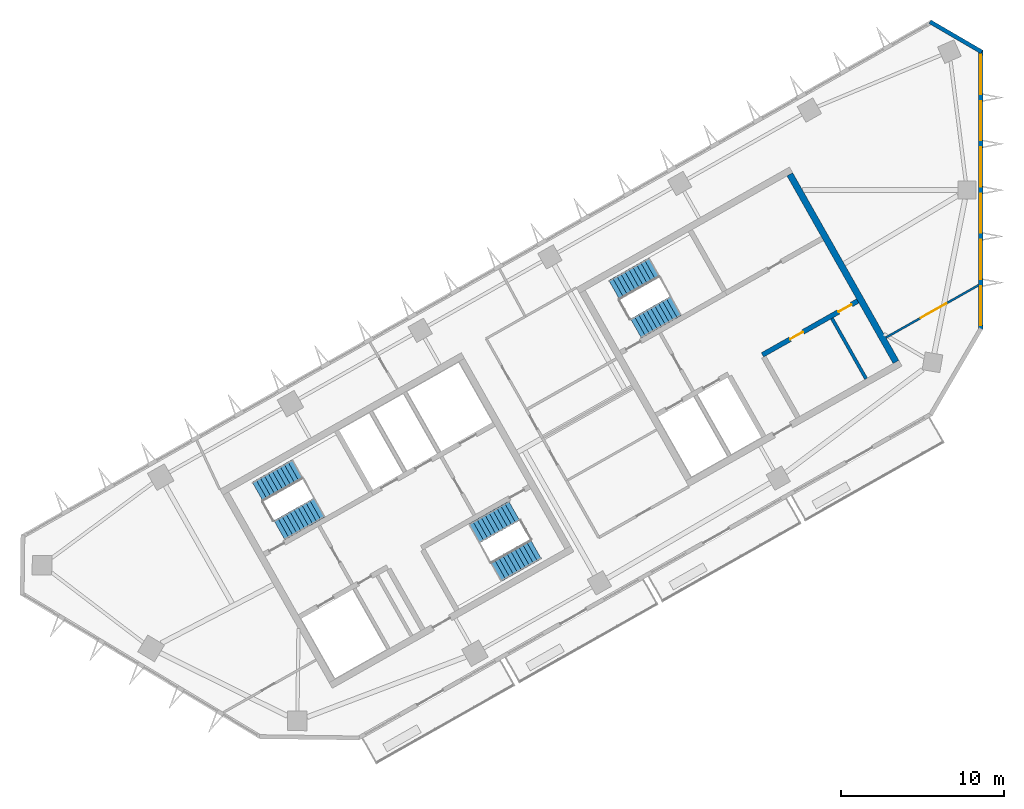
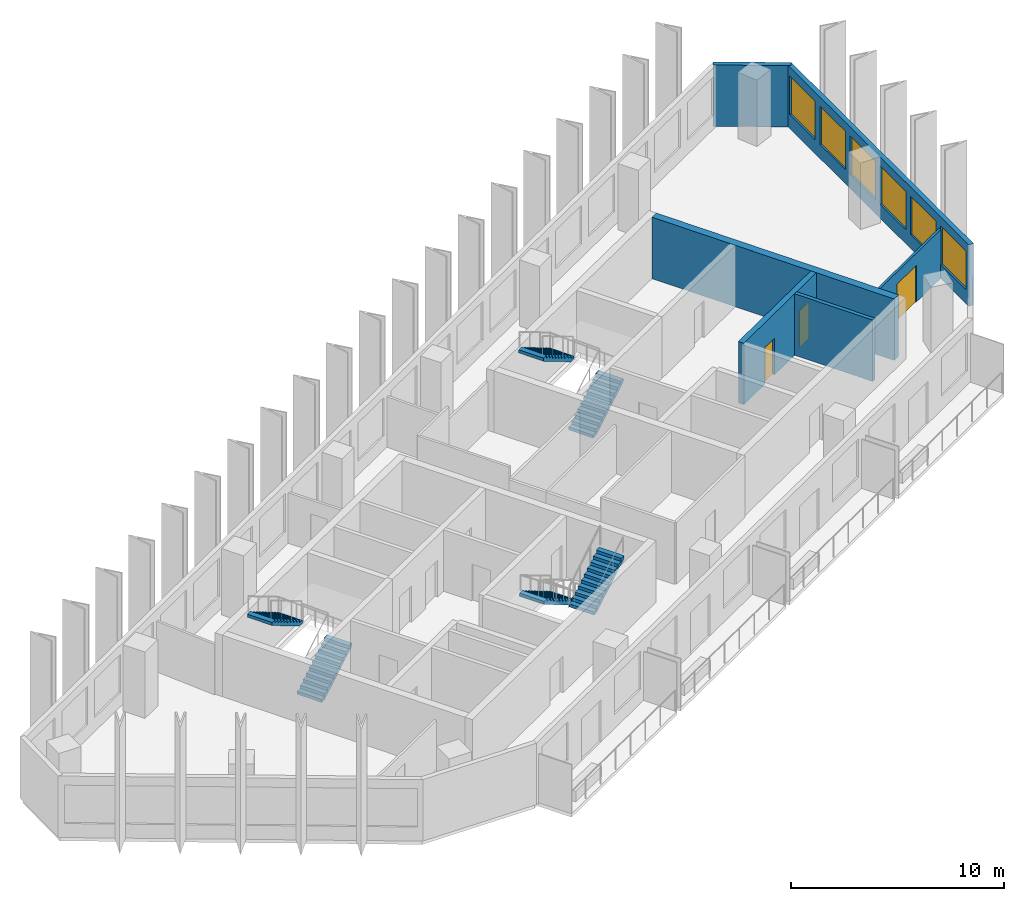
# One storey, part 5 of 8: 6 stair flights, 6 walls, 6 windows, 3 doors, 9 openings, 3 elements without a shape of their own.
"""IFC4 building model written with IfcOpenShell, lengths in metres."""

from ifc_helpers import new_model, si_unit, direction, frame, frame_2d, origin, place, context, subcontext, project, spatial, polyline, rectangle, outline, extrude, material, layer, layer_set, type_object, element, fill, aggregate, save


model = new_model("IFC4")

# Units and contexts
model_context = context("Model", 3, precision=1e-05, world=origin(), true_north=direction((0.0, 1.0)))
body_context = subcontext(model_context, "Body", "Model", "MODEL_VIEW")
ifc_project = project(units=[si_unit("LENGTHUNIT", "METRE"), si_unit("AREAUNIT", "SQUARE_METRE"), si_unit("VOLUMEUNIT", "CUBIC_METRE"), si_unit("PLANEANGLEUNIT", "RADIAN"), si_unit("MASSUNIT", "GRAM", prefix="KILO")], contexts=[model_context])

# Site, building, storey
site_placement = place(None, origin())
site = spatial("IfcSite", under=ifc_project, at=site_placement, CompositionType="ELEMENT")
building_placement = place(site_placement, origin())
building = spatial("IfcBuilding", under=site, at=building_placement, Name="Binnacle Exchange Tower", CompositionType="ELEMENT")
storey_placement = place(building_placement, frame((0.0, 0.0, 277.89990234375)))
storey = spatial("IfcBuildingStorey", under=building, at=storey_placement, Name="L62", CompositionType="ELEMENT", Elevation=277.89990234375)

# Wall
ifc_material_1 = material(Name="Gypsum partition fire rated")
ifc_layer_1 = layer(ifc_material_1, 0.199951171875)
ifc_layer_set_1 = layer_set([ifc_layer_1], Name="Core partition 200")
wall_type_1 = type_object("IfcWallType", Name="Core partition 200", PredefinedType="PARTITIONING", material=ifc_layer_set_1)
wall_1_placement = place(storey_placement, frame((-9.11279296875, 52.14404296875, 0.0), z_axis=(0.0, 0.0, 1.0), x_axis=(0.492422543467, -0.870356271124, 0.0)))
element("IfcWall", 1, at=wall_1_placement, inside=storey, type_object=wall_type_1, Name="Core wall CRWC22", PredefinedType="PARTITIONING", context=body_context, shape_type="SweptSolid", body=[
    extrude(rectangle(XDim=4.25, YDim=0.199951171875, at=frame_2d((2.125, 0.0))), origin(), (0.0, 0.0, 1.0), 3.52001953125),
])

# Wall, openings, doors
ifc_material_2 = material(Name="Concrete C70/85", Category="concrete")
ifc_layer_2 = layer(ifc_material_2, 0.300048828125)
ifc_layer_set_2 = layer_set([ifc_layer_2], Name="Core wall - front 300")
wall_type_2 = type_object("IfcWallType", Name="Core wall - front 300", PredefinedType="SOLIDWALL", material=ifc_layer_set_2)
wall_2_placement = place(storey_placement, frame((-13.364501953125, 49.910888671875, 0.0), z_axis=(0.0, 0.0, 1.0), x_axis=(0.870347618718, 0.492437836272, 0.0)))
wall_2 = element("IfcWall", 2, at=wall_2_placement, inside=storey, type_object=wall_type_2, Name="Core wall CRWC3", PredefinedType="SOLIDWALL", context=body_context, shape_type="SweptSolid", body=[
    extrude(rectangle(XDim=6.699951171875, YDim=0.300048828125, at=frame_2d((3.35009765625, 0.0))), origin(), (0.0, 0.0, 1.0), 3.52001953125),
])
opening_1_placement = place(wall_2_placement, frame((1.949951171875, 0.0, 0.0)))
opening_1 = element("IfcOpeningElement", 3, at=opening_1_placement, cuts=wall_2, Name="Opening DC18", PredefinedType="OPENING", context=body_context, shape_type="SweptSolid", body=[
    extrude(rectangle(XDim=0.89990234375, YDim=2.10009765625, at=frame_2d((0.449951171875, 1.050048828125))), frame((0.0, 0.159912109375, 0.0), z_axis=(0.0, -1.0, 0.0), x_axis=(1.0, 0.0, 0.0)), (0.0, 0.0, 1.0), 0.320068359375),
])
opening_2_placement = place(wall_2_placement, frame((5.35009765625, 0.0, 0.0)))
opening_2 = element("IfcOpeningElement", 4, at=opening_2_placement, cuts=wall_2, Name="Opening DC19", PredefinedType="OPENING", context=body_context, shape_type="SweptSolid", body=[
    extrude(rectangle(XDim=0.89990234375, YDim=2.10009765625, at=frame_2d((0.449951171875, 1.050048828125))), frame((0.0, 0.159912109375, 0.0), z_axis=(0.0, -1.0, 0.0), x_axis=(1.0, 0.0, 0.0)), (0.0, 0.0, 1.0), 0.320068359375),
])
ifc_material_3 = material(Name="Steel door leaf", Category="steel")
door_type_1 = type_object("IfcDoorType", Name="Fire door 900", OperationType="NOTDEFINED", PredefinedType="DOOR", material=ifc_material_3)
door_1_placement = place(opening_1_placement, frame((0.89990234375, 0.0, 0.0), z_axis=(0.0, 0.0, 1.0), x_axis=(-1.0, 0.0, 0.0)))
door_1 = element("IfcDoor", 5, at=door_1_placement, inside=storey, type_object=door_type_1, Name="Core room door TELECOM RISER ROOM", OperationType="SINGLE_SWING_RIGHT", OverallHeight=2.10009765625, OverallWidth=0.89990234375, PredefinedType="DOOR", context=body_context, shape_type="SweptSolid", body=[
    extrude(rectangle(XDim=0.89990234375, YDim=2.10009765625, at=frame_2d((0.449951171875, 1.050048828125))), frame((0.0, 0.02490234375, 0.0), z_axis=(0.0, -1.0, 0.0), x_axis=(1.0, 0.0, 0.0)), (0.0, 0.0, 1.0), 0.050048828125),
])
fill(opening_1, door_1)
door_2_placement = place(opening_2_placement, frame((0.89990234375, 0.0, 0.0), z_axis=(0.0, 0.0, 1.0), x_axis=(-1.0, 0.0, 0.0)))
door_2 = element("IfcDoor", 6, at=door_2_placement, inside=storey, type_object=door_type_1, Name="Core room door COMMS RISER ROOM", OperationType="SINGLE_SWING_LEFT", OverallHeight=2.10009765625, OverallWidth=0.89990234375, PredefinedType="DOOR", context=body_context, shape_type="SweptSolid", body=[
    extrude(rectangle(XDim=0.89990234375, YDim=2.10009765625, at=frame_2d((0.449951171875, 1.050048828125))), frame((0.0, 0.02490234375, 0.0), z_axis=(0.0, -1.0, 0.0), x_axis=(1.0, 0.0, 0.0)), (0.0, 0.0, 1.0), 0.050048828125),
])
fill(opening_2, door_2)

# Wall
ifc_layer_3 = layer(ifc_material_2, 0.39990234375)
ifc_layer_set_3 = layer_set([ifc_layer_3], Name="Core wall - outer 400")
wall_type_3 = type_object("IfcWallType", Name="Core wall - outer 400", PredefinedType="SOLIDWALL", material=ifc_layer_set_3)
wall_3_placement = place(storey_placement, frame((-11.6923828125, 60.968017578125, 0.0), z_axis=(0.0, 0.0, 1.0), x_axis=(0.492421663121, -0.870356769198, 0.0)))
element("IfcWall", 7, at=wall_3_placement, inside=storey, type_object=wall_type_3, Name="Core wall CRWC24", PredefinedType="SOLIDWALL", context=body_context, shape_type="SweptSolid", body=[
    extrude(rectangle(XDim=13.199951171875, YDim=0.39990234375, at=frame_2d((6.60009765625, 0.0))), origin(), (0.0, 0.0, 1.0), 3.52001953125),
])

# Wall, openings, windows
ifc_material_4 = material(Name="Bronze aluminium cladding", Category="aluminium")
ifc_layer_4 = layer(ifc_material_4, 0.25)
ifc_layer_set_4 = layer_set([ifc_layer_4], Name="External wall - window wall 250")
wall_type_4 = type_object("IfcWallType", Name="External wall - window wall 250", PredefinedType="STANDARD", material=ifc_layer_set_4)
wall_4_placement = place(storey_placement, frame((0.0, 68.57177734375, 0.0), z_axis=(0.0, 0.0, 1.0), x_axis=(0.0, -1.0, 0.0)))
wall_4 = element("IfcWall", 8, at=wall_4_placement, inside=storey, type_object=wall_type_4, Name="External wall EW-H01 L62", PredefinedType="STANDARD", context=body_context, shape_type="SweptSolid", body=[
    extrude(rectangle(XDim=17.10546875, YDim=0.25, at=frame_2d((8.552734375, 0.0))), origin(), (0.0, 0.0, 1.0), 3.52001953125),
])
opening_3_placement = place(wall_4_placement, frame((14.455078125, 0.0, 0.800048828125)))
opening_3 = element("IfcOpeningElement", 9, at=opening_3_placement, cuts=wall_4, Name="Opening WR2", PredefinedType="OPENING", context=body_context, shape_type="SweptSolid", body=[
    extrude(rectangle(XDim=2.39990234375, YDim=2.199951171875, at=frame_2d((1.199951171875, 1.10009765625))), frame((0.0, 0.135009765625, 0.0), z_axis=(0.0, -1.0, 0.0), x_axis=(1.0, 0.0, 0.0)), (0.0, 0.0, 1.0), 0.27001953125),
])
opening_4_placement = place(wall_4_placement, frame((11.621826171875, 0.0, 0.800048828125)))
opening_4 = element("IfcOpeningElement", 10, at=opening_4_placement, cuts=wall_4, Name="Opening WR2", PredefinedType="OPENING", context=body_context, shape_type="SweptSolid", body=[
    extrude(rectangle(XDim=2.39990234375, YDim=2.199951171875, at=frame_2d((1.199951171875, 1.10009765625))), frame((0.0, 0.135009765625, 0.0), z_axis=(0.0, -1.0, 0.0), x_axis=(1.0, 0.0, 0.0)), (0.0, 0.0, 1.0), 0.27001953125),
])
opening_5_placement = place(wall_4_placement, frame((8.78857421875, 0.0, 0.800048828125)))
opening_5 = element("IfcOpeningElement", 11, at=opening_5_placement, cuts=wall_4, Name="Opening WR2", PredefinedType="OPENING", context=body_context, shape_type="SweptSolid", body=[
    extrude(rectangle(XDim=2.39990234375, YDim=2.199951171875, at=frame_2d((1.199951171875, 1.10009765625))), frame((0.0, 0.135009765625, 0.0), z_axis=(0.0, -1.0, 0.0), x_axis=(1.0, 0.0, 0.0)), (0.0, 0.0, 1.0), 0.27001953125),
])
opening_6_placement = place(wall_4_placement, frame((5.955078125, 0.0, 0.800048828125)))
opening_6 = element("IfcOpeningElement", 12, at=opening_6_placement, cuts=wall_4, Name="Opening WR2", PredefinedType="OPENING", context=body_context, shape_type="SweptSolid", body=[
    extrude(rectangle(XDim=2.39990234375, YDim=2.199951171875, at=frame_2d((1.199951171875, 1.10009765625))), frame((0.0, 0.135009765625, 0.0), z_axis=(0.0, -1.0, 0.0), x_axis=(1.0, 0.0, 0.0)), (0.0, 0.0, 1.0), 0.27001953125),
])
opening_7_placement = place(wall_4_placement, frame((3.121826171875, 0.0, 0.800048828125)))
opening_7 = element("IfcOpeningElement", 13, at=opening_7_placement, cuts=wall_4, Name="Opening WR2", PredefinedType="OPENING", context=body_context, shape_type="SweptSolid", body=[
    extrude(rectangle(XDim=2.39990234375, YDim=2.199951171875, at=frame_2d((1.199951171875, 1.10009765625))), frame((0.0, 0.135009765625, 0.0), z_axis=(0.0, -1.0, 0.0), x_axis=(1.0, 0.0, 0.0)), (0.0, 0.0, 1.0), 0.27001953125),
])
opening_8_placement = place(wall_4_placement, frame((0.28857421875, 0.0, 0.800048828125)))
opening_8 = element("IfcOpeningElement", 14, at=opening_8_placement, cuts=wall_4, Name="Opening WR2", PredefinedType="OPENING", context=body_context, shape_type="SweptSolid", body=[
    extrude(rectangle(XDim=2.39990234375, YDim=2.199951171875, at=frame_2d((1.199951171875, 1.10009765625))), frame((0.0, 0.135009765625, 0.0), z_axis=(0.0, -1.0, 0.0), x_axis=(1.0, 0.0, 0.0)), (0.0, 0.0, 1.0), 0.27001953125),
])
ifc_material_5 = material(Name="Bronze anodised aluminium frame", Category="aluminium")
window_type = type_object("IfcWindowType", Name="WR2 WINDOW 2400x2200", PartitioningType="SINGLE_PANEL", PredefinedType="WINDOW", material=ifc_material_5)
window_1_placement = place(opening_3_placement, origin())
window_1 = element("IfcWindow", 15, at=window_1_placement, inside=storey, type_object=window_type, Name="Window WR2 L62", OverallHeight=2.199951171875, OverallWidth=2.39990234375, PartitioningType="SINGLE_PANEL", PredefinedType="WINDOW", context=body_context, shape_type="SweptSolid", body=[
    extrude(rectangle(XDim=2.39990234375, YDim=2.199951171875, at=frame_2d((1.199951171875, 1.10009765625))), frame((0.0, 0.030029296875, 0.0), z_axis=(0.0, -1.0, 0.0), x_axis=(1.0, 0.0, 0.0)), (0.0, 0.0, 1.0), 0.06005859375),
])
fill(opening_3, window_1)
window_2_placement = place(opening_4_placement, origin())
window_2 = element("IfcWindow", 16, at=window_2_placement, inside=storey, type_object=window_type, Name="Window WR2 L62", OverallHeight=2.199951171875, OverallWidth=2.39990234375, PartitioningType="SINGLE_PANEL", PredefinedType="WINDOW", context=body_context, shape_type="SweptSolid", body=[
    extrude(rectangle(XDim=2.39990234375, YDim=2.199951171875, at=frame_2d((1.199951171875, 1.10009765625))), frame((0.0, 0.030029296875, 0.0), z_axis=(0.0, -1.0, 0.0), x_axis=(1.0, 0.0, 0.0)), (0.0, 0.0, 1.0), 0.06005859375),
])
fill(opening_4, window_2)
window_3_placement = place(opening_5_placement, origin())
window_3 = element("IfcWindow", 17, at=window_3_placement, inside=storey, type_object=window_type, Name="Window WR2 L62", OverallHeight=2.199951171875, OverallWidth=2.39990234375, PartitioningType="SINGLE_PANEL", PredefinedType="WINDOW", context=body_context, shape_type="SweptSolid", body=[
    extrude(rectangle(XDim=2.39990234375, YDim=2.199951171875, at=frame_2d((1.199951171875, 1.10009765625))), frame((0.0, 0.030029296875, 0.0), z_axis=(0.0, -1.0, 0.0), x_axis=(1.0, 0.0, 0.0)), (0.0, 0.0, 1.0), 0.06005859375),
])
fill(opening_5, window_3)
window_4_placement = place(opening_6_placement, origin())
window_4 = element("IfcWindow", 18, at=window_4_placement, inside=storey, type_object=window_type, Name="Window WR2 L62", OverallHeight=2.199951171875, OverallWidth=2.39990234375, PartitioningType="SINGLE_PANEL", PredefinedType="WINDOW", context=body_context, shape_type="SweptSolid", body=[
    extrude(rectangle(XDim=2.39990234375, YDim=2.199951171875, at=frame_2d((1.199951171875, 1.10009765625))), frame((0.0, 0.030029296875, 0.0), z_axis=(0.0, -1.0, 0.0), x_axis=(1.0, 0.0, 0.0)), (0.0, 0.0, 1.0), 0.06005859375),
])
fill(opening_6, window_4)
window_5_placement = place(opening_7_placement, origin())
window_5 = element("IfcWindow", 19, at=window_5_placement, inside=storey, type_object=window_type, Name="Window WR2 L62", OverallHeight=2.199951171875, OverallWidth=2.39990234375, PartitioningType="SINGLE_PANEL", PredefinedType="WINDOW", context=body_context, shape_type="SweptSolid", body=[
    extrude(rectangle(XDim=2.39990234375, YDim=2.199951171875, at=frame_2d((1.199951171875, 1.10009765625))), frame((0.0, 0.030029296875, 0.0), z_axis=(0.0, -1.0, 0.0), x_axis=(1.0, 0.0, 0.0)), (0.0, 0.0, 1.0), 0.06005859375),
])
fill(opening_7, window_5)
window_6_placement = place(opening_8_placement, origin())
window_6 = element("IfcWindow", 20, at=window_6_placement, inside=storey, type_object=window_type, Name="Window WR2 L62", OverallHeight=2.199951171875, OverallWidth=2.39990234375, PartitioningType="SINGLE_PANEL", PredefinedType="WINDOW", context=body_context, shape_type="SweptSolid", body=[
    extrude(rectangle(XDim=2.39990234375, YDim=2.199951171875, at=frame_2d((1.199951171875, 1.10009765625))), frame((0.0, 0.030029296875, 0.0), z_axis=(0.0, -1.0, 0.0), x_axis=(1.0, 0.0, 0.0)), (0.0, 0.0, 1.0), 0.06005859375),
])
fill(opening_8, window_6)

# Wall
wall_5_placement = place(storey_placement, frame((-3.108154296875, 70.312744140625, 0.0), z_axis=(0.0, 0.0, 1.0), x_axis=(0.86382474085, -0.503792434536, 0.0)))
element("IfcWall", 21, at=wall_5_placement, inside=storey, type_object=wall_type_4, Name="External wall EW-H02 L62", PredefinedType="STANDARD", context=body_context, shape_type="SweptSolid", body=[
    extrude(rectangle(XDim=3.669921875, YDim=0.25, at=frame_2d((1.8349609375, 0.0))), origin(), (0.0, 0.0, 1.0), 3.52001953125),
])

# Wall, opening, door
ifc_material_6 = material(Name="Gypsum partition")
ifc_layer_5 = layer(ifc_material_6, 0.125)
ifc_layer_set_5 = layer_set([ifc_layer_5], Name="Partition 125")
wall_type_5 = type_object("IfcWallType", Name="Partition 125", PredefinedType="PARTITIONING", material=ifc_layer_set_5)
wall_6_placement = place(storey_placement, frame((-5.805908203125, 50.969970703125, 0.0), z_axis=(0.0, 0.0, 1.0), x_axis=(0.870355163327, 0.492424501492, 0.0)))
wall_6 = element("IfcWall", 22, at=wall_6_placement, inside=storey, type_object=wall_type_5, Name="Partition W15", PredefinedType="PARTITIONING", context=body_context, shape_type="SweptSolid", body=[
    extrude(rectangle(XDim=6.527099609375, YDim=0.125, at=frame_2d((3.263671875, 0.0))), origin(), (0.0, 0.0, 1.0), 2.800048828125),
])
opening_9_placement = place(wall_6_placement, frame((2.449951171875, 0.0, 0.0)))
opening_9 = element("IfcOpeningElement", 23, at=opening_9_placement, cuts=wall_6, Name="Opening DL61-07", PredefinedType="OPENING", context=body_context, shape_type="SweptSolid", body=[
    extrude(rectangle(XDim=1.800048828125, YDim=2.10009765625, at=frame_2d((0.89990234375, 1.050048828125))), frame((0.0, 0.072509765625, 0.0), z_axis=(0.0, -1.0, 0.0), x_axis=(1.0, 0.0, 0.0)), (0.0, 0.0, 1.0), 0.14501953125),
])
ifc_material_7 = material(Name="Timber door leaf", Category="wood")
door_type_2 = type_object("IfcDoorType", Name="Double door 1800", OperationType="NOTDEFINED", PredefinedType="DOOR", material=ifc_material_7)
door_3_placement = place(opening_9_placement, origin())
door_3 = element("IfcDoor", 24, at=door_3_placement, inside=storey, type_object=door_type_2, Name="Door DL61-07", OperationType="DOUBLE_DOOR_SINGLE_SWING", OverallHeight=2.10009765625, OverallWidth=1.800048828125, PredefinedType="DOOR", context=body_context, shape_type="SweptSolid", body=[
    extrude(rectangle(XDim=1.800048828125, YDim=2.10009765625, at=frame_2d((0.89990234375, 1.050048828125))), frame((0.0, 0.02490234375, 0.0), z_axis=(0.0, -1.0, 0.0), x_axis=(1.0, 0.0, 0.0)), (0.0, 0.0, 1.0), 0.050048828125),
])
fill(opening_9, door_3)

# Stair, stair flights
ifc_material_8 = material(Name="Concrete C35/45", Category="concrete")
stair_type = type_object("IfcStairType", Name="STAIR 22 RISERS 173", PredefinedType="HALF_TURN_STAIR", material=ifc_material_8)
stair_1_placement = place(storey_placement, origin())
stair_1 = element("IfcStair", 25, at=stair_1_placement, inside=storey, type_object=stair_type, Name="L62 Escape stair A1", PredefinedType="HALF_TURN_STAIR")
stair_flight_type = type_object("IfcStairFlightType", Name="STAIR FLIGHT 173X280", PredefinedType="STRAIGHT", material=ifc_material_8)
stair_flight_1_placement = place(storey_placement, frame((-42.9541015625, 39.17333984375, 0.0), z_axis=(0.0, 0.0, 1.0), x_axis=(0.870355584213, 0.492423757581, 0.0)))
stair_flight_1 = element("IfcStairFlight", 26, at=stair_flight_1_placement, type_object=stair_flight_type, Name="STA1 flight 1", NumberOfRisers=11, NumberOfTreads=10, PredefinedType="STRAIGHT", RiserHeight=0.172727273, TreadLength=0.28, context=body_context, shape_type="SweptSolid", body=[
    extrude(outline(polyline([(0.0, 0.0), (0.0, 0.172607421875), (0.280029296875, 0.172607421875), (0.280029296875, 0.345458984375), (0.56005859375, 0.345458984375), (0.56005859375, 0.51806640625), (0.840087890625, 0.51806640625), (0.840087890625, 0.69091796875), (1.1201171875, 0.69091796875), (1.1201171875, 0.863525390625), (1.39990234375, 0.863525390625), (1.39990234375, 1.036376953125), (1.679931640625, 1.036376953125), (1.679931640625, 1.208984375), (1.9599609375, 1.208984375), (1.9599609375, 1.3818359375), (2.239990234375, 1.3818359375), (2.239990234375, 1.554443359375), (2.52001953125, 1.554443359375), (2.52001953125, 1.727294921875), (2.800048828125, 1.727294921875), (2.800048828125, 1.89990234375), (2.800048828125, 1.551025390625), (0.285400390625, 0.0), (0.0, 0.0)])), frame((0.0, 0.675048828125, 0.0), z_axis=(0.0, -1.0, 0.0), x_axis=(1.0, 0.0, 0.0)), (0.0, 0.0, 1.0), 1.35009765625),
])
stair_flight_2_placement = place(storey_placement, frame((-41.846435546875, 42.902099609375, 1.900146484375), z_axis=(0.0, 0.0, 1.0), x_axis=(-0.870355584213, -0.492423757581, 0.0)))
stair_flight_2 = element("IfcStairFlight", 27, at=stair_flight_2_placement, type_object=stair_flight_type, Name="STA1 flight 2", NumberOfRisers=11, NumberOfTreads=10, PredefinedType="STRAIGHT", RiserHeight=0.172727273, TreadLength=0.28, context=body_context, shape_type="SweptSolid", body=[
    extrude(outline(polyline([(0.0, 0.0), (0.0, 0.172607421875), (0.280029296875, 0.172607421875), (0.280029296875, 0.345458984375), (0.56005859375, 0.345458984375), (0.56005859375, 0.51806640625), (0.840087890625, 0.51806640625), (0.840087890625, 0.69091796875), (1.1201171875, 0.69091796875), (1.1201171875, 0.863525390625), (1.39990234375, 0.863525390625), (1.39990234375, 1.036376953125), (1.679931640625, 1.036376953125), (1.679931640625, 1.208984375), (1.9599609375, 1.208984375), (1.9599609375, 1.3818359375), (2.239990234375, 1.3818359375), (2.239990234375, 1.554443359375), (2.52001953125, 1.554443359375), (2.52001953125, 1.727294921875), (2.800048828125, 1.727294921875), (2.800048828125, 1.89990234375), (2.800048828125, 1.551025390625), (0.285400390625, 0.0), (0.0, 0.0)])), frame((0.0, 0.675048828125, 0.0), z_axis=(0.0, -1.0, 0.0), x_axis=(1.0, 0.0, 0.0)), (0.0, 0.0, 1.0), 1.35009765625),
])
aggregate(stair_1, [stair_flight_1, stair_flight_2])

stair_2_placement = place(storey_placement, origin())
stair_2 = element("IfcStair", 28, at=stair_2_placement, inside=storey, type_object=stair_type, Name="L62 Escape stair A2", PredefinedType="HALF_TURN_STAIR")
stair_flight_3_placement = place(storey_placement, frame((-28.5732421875, 40.3583984375, 0.0), z_axis=(0.0, 0.0, 1.0), x_axis=(-0.870355584213, -0.492423757581, 0.0)))
stair_flight_3 = element("IfcStairFlight", 29, at=stair_flight_3_placement, type_object=stair_flight_type, Name="STA2 flight 1", NumberOfRisers=11, NumberOfTreads=10, PredefinedType="STRAIGHT", RiserHeight=0.172727273, TreadLength=0.28, context=body_context, shape_type="SweptSolid", body=[
    extrude(outline(polyline([(0.0, 0.0), (0.0, 0.172607421875), (0.280029296875, 0.172607421875), (0.280029296875, 0.345458984375), (0.56005859375, 0.345458984375), (0.56005859375, 0.51806640625), (0.840087890625, 0.51806640625), (0.840087890625, 0.69091796875), (1.1201171875, 0.69091796875), (1.1201171875, 0.863525390625), (1.39990234375, 0.863525390625), (1.39990234375, 1.036376953125), (1.679931640625, 1.036376953125), (1.679931640625, 1.208984375), (1.9599609375, 1.208984375), (1.9599609375, 1.3818359375), (2.239990234375, 1.3818359375), (2.239990234375, 1.554443359375), (2.52001953125, 1.554443359375), (2.52001953125, 1.727294921875), (2.800048828125, 1.727294921875), (2.800048828125, 1.89990234375), (2.800048828125, 1.551025390625), (0.285400390625, 0.0), (0.0, 0.0)])), frame((0.0, 0.675048828125, 0.0), z_axis=(0.0, -1.0, 0.0), x_axis=(1.0, 0.0, 0.0)), (0.0, 0.0, 1.0), 1.35009765625),
])
stair_flight_4_placement = place(storey_placement, frame((-29.6806640625, 36.629638671875, 1.900146484375), z_axis=(0.0, 0.0, 1.0), x_axis=(0.870355584213, 0.492423757581, 0.0)))
stair_flight_4 = element("IfcStairFlight", 30, at=stair_flight_4_placement, type_object=stair_flight_type, Name="STA2 flight 2", NumberOfRisers=11, NumberOfTreads=10, PredefinedType="STRAIGHT", RiserHeight=0.172727273, TreadLength=0.28, context=body_context, shape_type="SweptSolid", body=[
    extrude(outline(polyline([(0.0, 0.0), (0.0, 0.172607421875), (0.280029296875, 0.172607421875), (0.280029296875, 0.345458984375), (0.56005859375, 0.345458984375), (0.56005859375, 0.51806640625), (0.840087890625, 0.51806640625), (0.840087890625, 0.69091796875), (1.1201171875, 0.69091796875), (1.1201171875, 0.863525390625), (1.39990234375, 0.863525390625), (1.39990234375, 1.036376953125), (1.679931640625, 1.036376953125), (1.679931640625, 1.208984375), (1.9599609375, 1.208984375), (1.9599609375, 1.3818359375), (2.239990234375, 1.3818359375), (2.239990234375, 1.554443359375), (2.52001953125, 1.554443359375), (2.52001953125, 1.727294921875), (2.800048828125, 1.727294921875), (2.800048828125, 1.89990234375), (2.800048828125, 1.551025390625), (0.285400390625, 0.0), (0.0, 0.0)])), frame((0.0, 0.675048828125, 0.0), z_axis=(0.0, -1.0, 0.0), x_axis=(1.0, 0.0, 0.0)), (0.0, 0.0, 1.0), 1.35009765625),
])
aggregate(stair_2, [stair_flight_3, stair_flight_4])

stair_3_placement = place(storey_placement, origin())
stair_3 = element("IfcStair", 31, at=stair_3_placement, inside=storey, type_object=stair_type, Name="L62 Escape stair C1", PredefinedType="HALF_TURN_STAIR")
stair_flight_5_placement = place(storey_placement, frame((-21.115966796875, 51.528564453125, 0.0), z_axis=(0.0, 0.0, 1.0), x_axis=(0.870355584213, 0.492423757581, 0.0)))
stair_flight_5 = element("IfcStairFlight", 32, at=stair_flight_5_placement, type_object=stair_flight_type, Name="STC1 flight 1", NumberOfRisers=11, NumberOfTreads=10, PredefinedType="STRAIGHT", RiserHeight=0.172727273, TreadLength=0.28, context=body_context, shape_type="SweptSolid", body=[
    extrude(outline(polyline([(0.0, 0.0), (0.0, 0.172607421875), (0.280029296875, 0.172607421875), (0.280029296875, 0.345458984375), (0.56005859375, 0.345458984375), (0.56005859375, 0.51806640625), (0.840087890625, 0.51806640625), (0.840087890625, 0.69091796875), (1.1201171875, 0.69091796875), (1.1201171875, 0.863525390625), (1.39990234375, 0.863525390625), (1.39990234375, 1.036376953125), (1.679931640625, 1.036376953125), (1.679931640625, 1.208984375), (1.9599609375, 1.208984375), (1.9599609375, 1.3818359375), (2.239990234375, 1.3818359375), (2.239990234375, 1.554443359375), (2.52001953125, 1.554443359375), (2.52001953125, 1.727294921875), (2.800048828125, 1.727294921875), (2.800048828125, 1.89990234375), (2.800048828125, 1.551025390625), (0.285400390625, 0.0), (0.0, 0.0)])), frame((0.0, 0.675048828125, 0.0), z_axis=(0.0, -1.0, 0.0), x_axis=(1.0, 0.0, 0.0)), (0.0, 0.0, 1.0), 1.35009765625),
])
stair_flight_6_placement = place(storey_placement, frame((-20.008544921875, 55.25732421875, 1.900146484375), z_axis=(0.0, 0.0, 1.0), x_axis=(-0.870355584213, -0.492423757581, 0.0)))
stair_flight_6 = element("IfcStairFlight", 33, at=stair_flight_6_placement, type_object=stair_flight_type, Name="STC1 flight 2", NumberOfRisers=11, NumberOfTreads=10, PredefinedType="STRAIGHT", RiserHeight=0.172727273, TreadLength=0.28, context=body_context, shape_type="SweptSolid", body=[
    extrude(outline(polyline([(0.0, 0.0), (0.0, 0.172607421875), (0.280029296875, 0.172607421875), (0.280029296875, 0.345458984375), (0.56005859375, 0.345458984375), (0.56005859375, 0.51806640625), (0.840087890625, 0.51806640625), (0.840087890625, 0.69091796875), (1.1201171875, 0.69091796875), (1.1201171875, 0.863525390625), (1.39990234375, 0.863525390625), (1.39990234375, 1.036376953125), (1.679931640625, 1.036376953125), (1.679931640625, 1.208984375), (1.9599609375, 1.208984375), (1.9599609375, 1.3818359375), (2.239990234375, 1.3818359375), (2.239990234375, 1.554443359375), (2.52001953125, 1.554443359375), (2.52001953125, 1.727294921875), (2.800048828125, 1.727294921875), (2.800048828125, 1.89990234375), (2.800048828125, 1.551025390625), (0.285400390625, 0.0), (0.0, 0.0)])), frame((0.0, 0.675048828125, 0.0), z_axis=(0.0, -1.0, 0.0), x_axis=(1.0, 0.0, 0.0)), (0.0, 0.0, 1.0), 1.35009765625),
])
aggregate(stair_3, [stair_flight_5, stair_flight_6])

save(model, "model.ifc")
